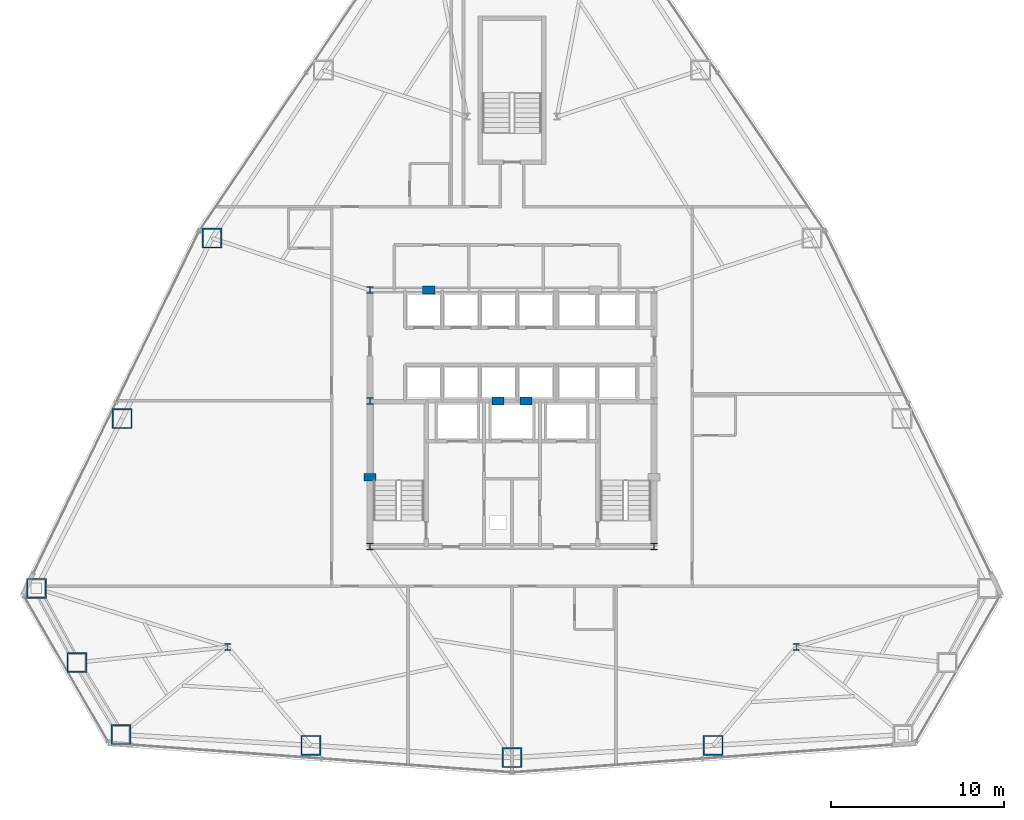
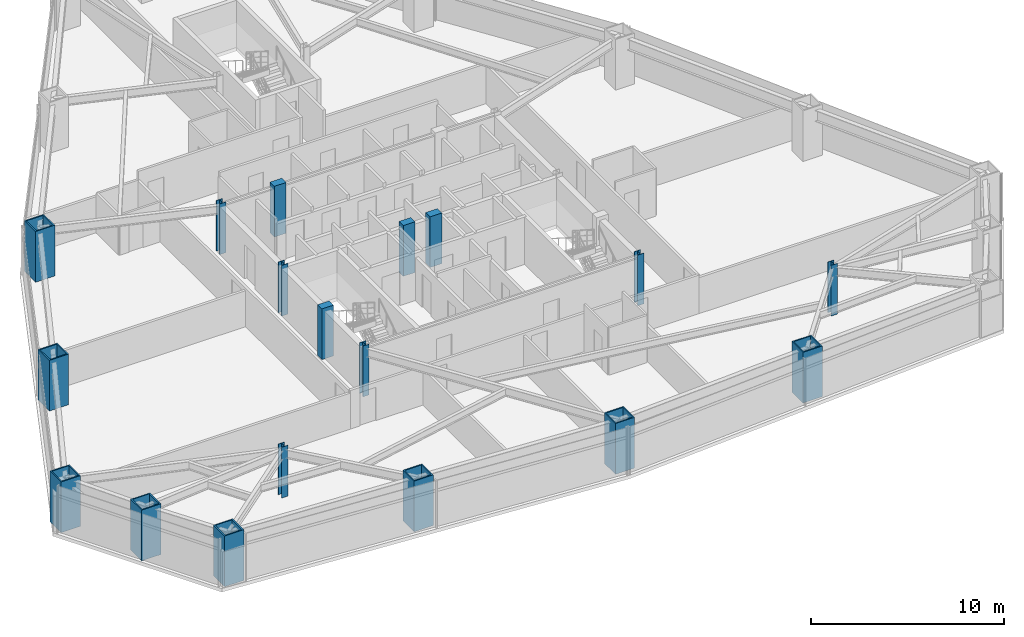
# One storey, part 1 of 12: 18 columns.
"""IFC4 building model written with IfcOpenShell, lengths in metres."""

import ifcopenshell
import ifcopenshell.guid

model = None  # the IFC model being written
_history = None  # IfcOwnerHistory: only IFC2X3 demands one
_inside = {}  # id of a spatial element -> (the spatial element, [elements in it])
_under = {}  # id of a project, library or spatial element -> (it, [spatial elements below it])
_declared = {}  # id of a project -> (the project, [libraries it declares])
_typed = {}  # id of a type object -> (the type object, [elements of that type])
_made_of = {}  # id of a material, layer set ... -> (it, [elements and type objects made of it])


def new_model(schema):
    """Start an empty IFC model of exactly this schema.

    Asked for "IFC4X3", IfcOpenShell would pick the latest addendum, in which some entities
    have other attributes; the version numbers below select the first issue.
    IFC2X3 requires an IfcOwnerHistory on every rooted entity: one is made here for all.
    """
    global model, _history
    if schema == "IFC4X3":
        model = ifcopenshell.file(schema_version=(4, 3, 0, 0))
    else:
        model = ifcopenshell.file(schema=schema)
    _inside.clear()
    _under.clear()
    _declared.clear()
    _typed.clear()
    _made_of.clear()
    _history = None
    if model.schema == "IFC2X3":
        org = make("IfcOrganization", Name="unknown")
        user = make(
            "IfcPersonAndOrganization",
            ThePerson=make("IfcPerson", FamilyName="unknown"),
            TheOrganization=org,
        )
        app = make(
            "IfcApplication",
            ApplicationDeveloper=org,
            Version="unknown",
            ApplicationFullName="unknown",
            ApplicationIdentifier="unknown",
        )
        _history = make(
            "IfcOwnerHistory",
            OwningUser=user,
            OwningApplication=app,
            ChangeAction="ADDED",
            CreationDate=0,
        )
    return model


def make(cls, **values):
    """One entity of the class cls with the attributes given. An attribute that is None is left unset."""
    return model.create_entity(
        cls, **{name: value for name, value in values.items() if value is not None}
    )


def rooted(cls, **values):
    """An entity with a GlobalId (a new one), such as an element, a storey or a relation."""
    return make(cls, GlobalId=ifcopenshell.guid.new(), OwnerHistory=_history, **values)


def si_unit(unit_type, name, prefix=None):
    """IfcSIUnit, for example si_unit("LENGTHUNIT", "METRE", prefix="MILLI")."""
    return make("IfcSIUnit", UnitType=unit_type, Prefix=prefix, Name=name)


def assignment(units):
    """IfcUnitAssignment: the units of a project."""
    return None if units is None else make("IfcUnitAssignment", Units=units)


def point(xyz):
    """IfcCartesianPoint."""
    return None if xyz is None else make("IfcCartesianPoint", Coordinates=xyz)


def direction(xyz):
    """IfcDirection."""
    return None if xyz is None else make("IfcDirection", DirectionRatios=xyz)


def frame(location, z_axis=None, x_axis=None):
    """IfcAxis2Placement3D, a coordinate frame: its origin and axes. An axis left out is left unset."""
    return make(
        "IfcAxis2Placement3D",
        Location=point(location),
        Axis=direction(z_axis),
        RefDirection=direction(x_axis),
    )


def frame_2d(location, x_axis=None):
    """IfcAxis2Placement2D, a coordinate frame in the plane: its origin and x axis."""
    return make(
        "IfcAxis2Placement2D", Location=point(location), RefDirection=direction(x_axis)
    )


def origin():
    """The frame at (0, 0, 0) with its axes left unset."""
    return frame((0.0, 0.0, 0.0))


def origin_2d():
    """The frame at (0, 0) in the plane with its x axis left unset."""
    return frame_2d((0.0, 0.0))


def place(relative_to, where):
    """IfcLocalPlacement: puts the frame where relative to a parent placement (None: the world)."""
    return make(
        "IfcLocalPlacement", PlacementRelTo=relative_to, RelativePlacement=where
    )


def context(
    kind, dimensions, precision=None, world=None, true_north=None, identifier=None
):
    """IfcGeometricRepresentationContext, for example the 3D "Model" context."""
    return make(
        "IfcGeometricRepresentationContext",
        ContextIdentifier=identifier,
        ContextType=kind,
        CoordinateSpaceDimension=dimensions,
        Precision=precision,
        WorldCoordinateSystem=world,
        TrueNorth=true_north,
    )


def subcontext(parent, identifier, kind, view, scale=None):
    """IfcGeometricRepresentationSubContext, for example "Body" below "Model"."""
    return make(
        "IfcGeometricRepresentationSubContext",
        ContextIdentifier=identifier,
        ContextType=kind,
        ParentContext=parent,
        TargetScale=scale,
        TargetView=view,
    )


def project(units=None, contexts=None):
    """IfcProject with its units and contexts."""
    return rooted(
        "IfcProject",
        Name="project",
        RepresentationContexts=contexts,
        UnitsInContext=assignment(units),
    )


def spatial(cls, under=None, at=None, **own):
    """A site, building, storey or space (cls), placed at a placement, below another one or the project."""
    s = rooted(cls, ObjectPlacement=at, **own)
    if under is not None:
        _under.setdefault(under.id(), (under, []))[1].append(s)
    return s


def profile(cls, at=None, kind="AREA", **sizes):
    """A parametric profile (cls). Its sizes go by their IFC names, for example OverallWidth=200.0."""
    return make(cls, ProfileType=kind, Position=at, **sizes)


def rectangle(**sizes):
    """IfcRectangleProfileDef."""
    return profile("IfcRectangleProfileDef", **sizes)


def hollow_rectangle(**sizes):
    """IfcRectangleHollowProfileDef."""
    return profile("IfcRectangleHollowProfileDef", **sizes)


def i_section(**sizes):
    """IfcIShapeProfileDef."""
    return profile("IfcIShapeProfileDef", **sizes)


def extrude(swept, where, along, depth):
    """IfcExtrudedAreaSolid: the profile swept, set in the frame where, extruded along a direction by depth."""
    return make(
        "IfcExtrudedAreaSolid",
        SweptArea=swept,
        Position=where,
        ExtrudedDirection=direction(along),
        Depth=depth,
    )


def shape(context_of_items, identifier, shape_type, items):
    """IfcShapeRepresentation: the items that make up one representation, for example the "Body"."""
    return make(
        "IfcShapeRepresentation",
        ContextOfItems=context_of_items,
        RepresentationIdentifier=identifier,
        RepresentationType=shape_type,
        Items=items,
    )


def material(Name=None, Category=None):
    """IfcMaterial."""
    return make("IfcMaterial", Name=Name, Category=Category)


def material_profile(
    of_material, cross_section, Name=None, Category=None, Priority=None
):
    """IfcMaterialProfile: a cross section and its material."""
    return make(
        "IfcMaterialProfile",
        Name=Name,
        Material=of_material,
        Profile=cross_section,
        Priority=Priority,
        Category=Category,
    )


def profile_set(profiles, Name=None, composite=None):
    """IfcMaterialProfileSet."""
    return make(
        "IfcMaterialProfileSet",
        Name=Name,
        MaterialProfiles=profiles,
        CompositeProfile=composite,
    )


def made_of(thing, what):
    """Note that an element or type object is made of a material, layer set ...; save() writes the relation."""
    if what is not None:
        _made_of.setdefault(what.id(), (what, []))[1].append(thing)
    return thing


def type_object(cls, material=None, **own):
    """A type object (cls), such as IfcWallType, which elements share."""
    return made_of(rooted(cls, **own), material)


def element(
    cls,
    number,
    at=None,
    inside=None,
    cuts=None,
    type_object=None,
    material=None,
    context=None,
    identifier="Body",
    shape_type=None,
    held_by="IfcProductDefinitionShape",
    body=None,
    shapes=None,
    **own,
):
    """One element of the class cls, such as IfcWall. Its Tag is "e" and its number.

    at: its placement. inside: the storey or other place that contains it. cuts: it is an
    opening in that element (IfcRelVoidsElement). A single representation is given by context,
    identifier, shape_type and body (its items); several are given by shapes. held_by: the class
    of the entity that holds the representations. save() writes the other relations.
    """
    e = rooted(cls, Tag="e%d" % number, ObjectPlacement=at, **own)
    if body is not None:
        shapes = [shape(context, identifier, shape_type, body)]
    if shapes is not None:
        e.Representation = make(held_by, Representations=shapes)
    if inside is not None:
        _inside.setdefault(inside.id(), (inside, []))[1].append(e)
    if cuts is not None:
        rooted(
            "IfcRelVoidsElement", RelatingBuildingElement=cuts, RelatedOpeningElement=e
        )
    if type_object is not None:
        _typed.setdefault(type_object.id(), (type_object, []))[1].append(e)
    return made_of(e, material)


def aggregate(whole, parts):
    """IfcRelAggregates: a whole, such as a stair, and the parts it consists of."""
    return rooted("IfcRelAggregates", RelatingObject=whole, RelatedObjects=parts)


def save(model, path):
    """Write the relations noted so far, then the file.

    IfcRelAggregates (storeys below a building ...), IfcRelContainedInSpatialStructure (elements
    in a storey), IfcRelDefinesByType, IfcRelAssociatesMaterial and IfcRelDeclares: one each for
    every whole, place, type object, material and project.
    """
    for whole, parts in _under.values():
        aggregate(whole, parts)
    for where, things in _inside.values():
        rooted(
            "IfcRelContainedInSpatialStructure",
            RelatedElements=things,
            RelatingStructure=where,
        )
    for kind, things in _typed.values():
        rooted("IfcRelDefinesByType", RelatedObjects=things, RelatingType=kind)
    for what, things in _made_of.values():
        rooted("IfcRelAssociatesMaterial", RelatedObjects=things, RelatingMaterial=what)
    for by, libraries in _declared.values():
        rooted("IfcRelDeclares", RelatingContext=by, RelatedDefinitions=libraries)
    model.write(path)


model = new_model("IFC4")

# Units and contexts
model_context = context("Model", 3, precision=1e-05, world=origin(), true_north=direction((0.0, 1.0)))
body_context = subcontext(model_context, "Body", "Model", "MODEL_VIEW")
ifc_project = project(units=[si_unit("LENGTHUNIT", "METRE"), si_unit("AREAUNIT", "SQUARE_METRE"), si_unit("VOLUMEUNIT", "CUBIC_METRE"), si_unit("PLANEANGLEUNIT", "RADIAN"), si_unit("MASSUNIT", "GRAM", prefix="KILO")], contexts=[model_context])

# Site, building, storey
site_placement = place(None, origin())
site = spatial("IfcSite", under=ifc_project, at=site_placement, CompositionType="ELEMENT")
building_placement = place(site_placement, origin())
building = spatial("IfcBuilding", under=site, at=building_placement, Name="Varakhsha Concourse Tower", CompositionType="ELEMENT")
storey_placement = place(building_placement, frame((0.0, 0.0, 56.0)))
storey = spatial("IfcBuildingStorey", under=building, at=storey_placement, Name="L15", CompositionType="ELEMENT", Elevation=56.0)

# Columns
ifc_material_1 = material(Name="Structural Steel ASTM A992 Grade 50", Category="steel")
ifc_material_profile_1 = material_profile(ifc_material_1, i_section(OverallWidth=0.3740234375, OverallDepth=0.3720703125, WebThickness=0.01611328125, FlangeThickness=0.02587890625, at=origin_2d()), Name="W14X132")
ifc_profile_set_1 = profile_set([ifc_material_profile_1], Name="Structural Steel ASTM A992 Grade 50")
column_type_1 = type_object("IfcColumnType", Name="CL-CORE-W14X132", PredefinedType="COLUMN", material=ifc_profile_set_1)
for number, where, z_axis, x_axis, name in (
    (1, (31.800048828125, 16.39990234375, 0.0), (0.0, 0.0, 1.0), (1.0, 0.0, 0.0), "L15 Core Column CC-SW"),
    (2, (48.199951171875, 16.39990234375, 0.0), (0.0, 0.0, 1.0), (1.0, 0.0, 0.0), "L15 Core Column CC-SE"),
    (3, (31.800048828125, 24.800048828125, 0.0), (0.0, 0.0, 1.0), (1.0, 0.0, 0.0), "L15 Core Column CC-MW"),
    (4, (31.800048828125, 31.199951171875, 0.0), (0.0, 0.0, 1.0), (1.0, 0.0, 0.0), "L15 Core Column CC-NW"),
    (5, (23.60009765625, 10.60009765625, 0.0), (0.0, 0.0, 1.0), (1.0, 0.0, 0.0), "L15 Core Column SS-W"),
    (6, (56.39990234375, 10.60009765625, 0.0), (0.0, 0.0, 1.0), (1.0, 0.0, 0.0), "L15 Core Column SS-E"),
):
    element("IfcColumn", number, at=place(storey_placement, frame(where, z_axis=z_axis, x_axis=x_axis)), inside=storey, type_object=column_type_1, Name=name, PredefinedType="COLUMN", context=body_context, shape_type="SweptSolid", body=[
        extrude(i_section(OverallWidth=0.3740234375, OverallDepth=0.3720703125, WebThickness=0.01611328125, FlangeThickness=0.02587890625, at=origin_2d()), origin(), (0.0, 0.0, 1.0), 3.199951171875),
    ])
ifc_material_2 = material(Name="Concrete fc 65 MPa", Category="concrete")
ifc_material_profile_2 = material_profile(ifc_material_2, rectangle(XDim=0.699951171875, YDim=0.449951171875, at=origin_2d()), Name="RC 700x450")
ifc_profile_set_2 = profile_set([ifc_material_profile_2], Name="Concrete fc 65 MPa")
column_type_2 = type_object("IfcColumnType", Name="CL-PIL-700X450", PredefinedType="PILASTER", material=ifc_profile_set_2)
for number, where, z_axis, x_axis, name in (
    (7, (31.800048828125, 20.39990234375, 0.0), (0.0, 0.0, 1.0), (1.0, 0.0, 0.0), "L15 Core Boundary Pilaster PIL-W1"),
    (8, (35.199951171875, 31.199951171875, 0.0), (0.0, 0.0, 1.0), (1.0, 0.0, 0.0), "L15 Core Boundary Pilaster PIL-N1"),
    (9, (39.199951171875, 24.800048828125, 0.0), (0.0, 0.0, 1.0), (1.0, 0.0, 0.0), "L15 Core Boundary Pilaster PIL-M1"),
    (10, (40.800048828125, 24.800048828125, 0.0), (0.0, 0.0, 1.0), (1.0, 0.0, 0.0), "L15 Core Boundary Pilaster PIL-M2"),
):
    element("IfcColumn", number, at=place(storey_placement, frame(where, z_axis=z_axis, x_axis=x_axis)), inside=storey, type_object=column_type_2, Name=name, PredefinedType="PILASTER", context=body_context, shape_type="SweptSolid", body=[
        extrude(rectangle(XDim=0.699951171875, YDim=0.449951171875, at=origin_2d()), origin(), (0.0, 0.0, 1.0), 3.199951171875),
    ])
ifc_material_3 = material(Name="Structural Steel ASTM A572 Grade 50", Category="steel")
ifc_material_profile_3 = material_profile(ifc_material_3, hollow_rectangle(XDim=1.14990234375, YDim=1.14990234375, WallThickness=0.074951171875, at=origin_2d()), Name="BOX 1150x1150x75")
ifc_profile_set_3 = profile_set([ifc_material_profile_3], Name="Structural Steel ASTM A572 Grade 50")
column_type_3 = type_object("IfcColumnType", Name="CL-TUBE-1150", PredefinedType="COLUMN", material=ifc_profile_set_3)
for number, where, z_axis, x_axis, name in (
    (11, (22.694580078125, 34.19140625, 0.0), (0.0, 0.0, 1.0), (1.0, 0.0, 0.0), "L15 Framed-Tube Column TC05"),
    (12, (17.50830078125, 23.7822265625, 0.0), (0.0, 0.0, 1.0), (1.0, 0.0, 0.0), "L15 Framed-Tube Column TC06"),
    (13, (12.562744140625, 13.987548828125, 0.0), (0.0, 0.0, 1.0), (1.0, 0.0, 0.0), "L15 Framed-Tube Column TC07"),
    (14, (14.897705078125, 9.707275390625, 0.0), (0.0, 0.0, 1.0), (1.0, 0.0, 0.0), "L15 Framed-Tube Column TC08"),
    (15, (17.43701171875, 5.544921875, 0.0), (0.0, 0.0, 1.0), (1.0, 0.0, 0.0), "L15 Framed-Tube Column TC09"),
    (16, (28.392333984375, 4.930419921875, 0.0), (0.0, 0.0, 1.0), (1.0, 0.0, 0.0), "L15 Framed-Tube Column TC10"),
    (17, (40.0, 4.217529296875, 0.0), (0.0, 0.0, 1.0), (1.0, 0.0, 0.0), "L15 Framed-Tube Column TC11"),
    (18, (51.607666015625, 4.930419921875, 0.0), (0.0, 0.0, 1.0), (1.0, 0.0, 0.0), "L15 Framed-Tube Column TC12"),
):
    element("IfcColumn", number, at=place(storey_placement, frame(where, z_axis=z_axis, x_axis=x_axis)), inside=storey, type_object=column_type_3, Name=name, PredefinedType="COLUMN", context=body_context, shape_type="SweptSolid", body=[
        extrude(hollow_rectangle(XDim=1.14990234375, YDim=1.14990234375, WallThickness=0.074951171875, at=origin_2d()), origin(), (0.0, 0.0, 1.0), 3.199951171875),
    ])

save(model, "model.ifc")
